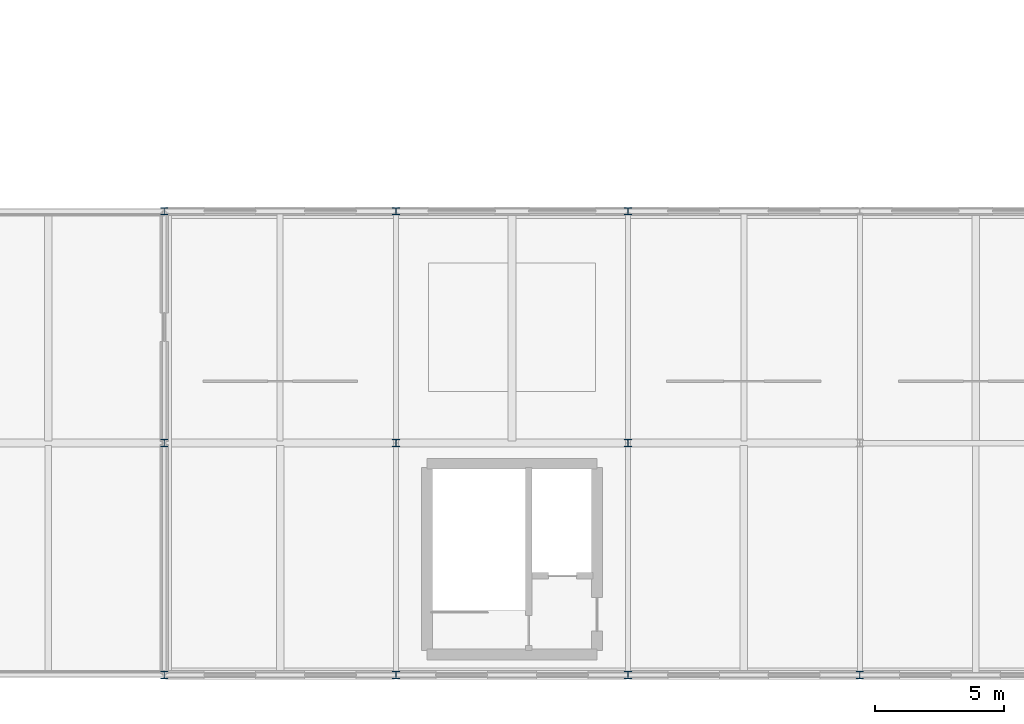
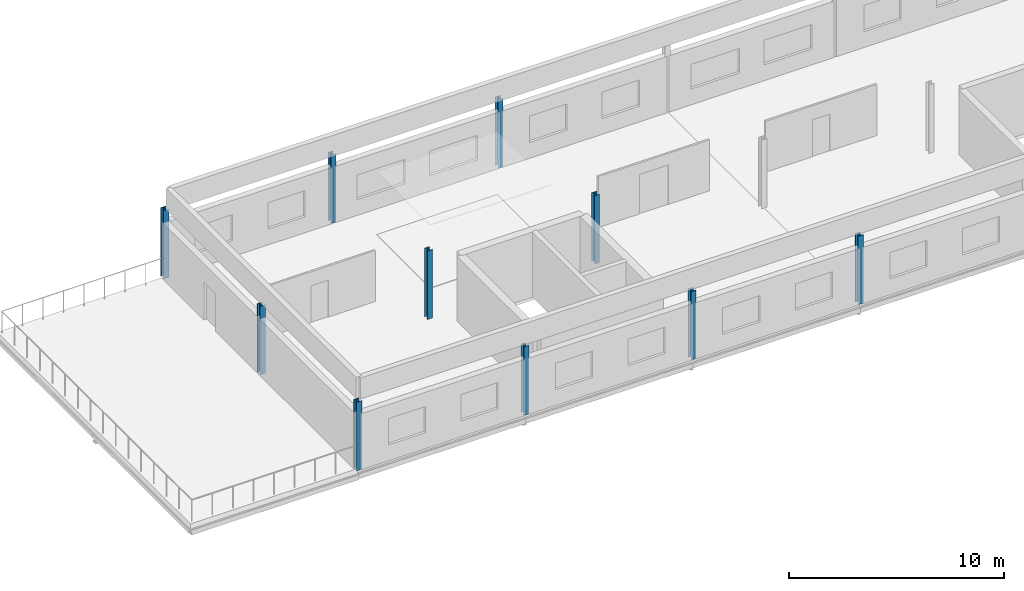
# One storey, part 4 of 18: 10 columns.
"""IFC4 building model written with IfcOpenShell, lengths in metres."""

from ifc_helpers import new_model, si_unit, direction, frame, origin, origin_2d, place, context, subcontext, project, spatial, i_section, extrude, material, material_profile, profile_set, type_object, element, save


model = new_model("IFC4")

# Units and contexts
model_context = context("Model", 3, precision=1e-05, world=origin(), true_north=direction((0.0, 1.0)))
body_context = subcontext(model_context, "Body", "Model", "MODEL_VIEW")
ifc_project = project(units=[si_unit("LENGTHUNIT", "METRE"), si_unit("AREAUNIT", "SQUARE_METRE"), si_unit("VOLUMEUNIT", "CUBIC_METRE"), si_unit("PLANEANGLEUNIT", "RADIAN"), si_unit("MASSUNIT", "GRAM", prefix="KILO")], contexts=[model_context])

# Site, building, storey
site_placement = place(None, origin())
site = spatial("IfcSite", under=ifc_project, at=site_placement, CompositionType="ELEMENT")
building_placement = place(site_placement, origin())
building = spatial("IfcBuilding", under=site, at=building_placement, Name="Kildeholm Park Wholesale Market", CompositionType="ELEMENT")
storey_placement = place(building_placement, frame((0.0, 0.0, 13.5)))
storey = spatial("IfcBuildingStorey", under=building, at=storey_placement, Name="L03", CompositionType="ELEMENT", Elevation=13.5)

# Columns
ifc_material = material(Name="Steel S355", Category="steel")
ifc_material_profile = material_profile(ifc_material, i_section(OverallWidth=0.280029296875, OverallDepth=0.280029296875, WebThickness=0.010498046875, FlangeThickness=0.01806640625, FilletRadius=0.02392578125, at=origin_2d()), Name="HEB 280")
ifc_profile_set = profile_set([ifc_material_profile], Name="Steel S355")
column_type = type_object("IfcColumnType", Name="Column C-S02 HEB 280", PredefinedType="COLUMN", material=ifc_profile_set)
for number, where, z_axis, x_axis, name in (
    (1, (135.0, 0.0, 0.0), (0.0, 0.0, 1.0), (1.0, 0.0, 0.0), "Column V5E-135-000 L03 COL-0774"),
    (2, (135.0, 9.0, 0.0), (0.0, 0.0, 1.0), (1.0, 0.0, 0.0), "Column V5E-135-009 L03 COL-0778"),
    (3, (135.0, 18.0, 0.0), (0.0, 0.0, 1.0), (1.0, 0.0, 0.0), "Column V5E-135-018 L03 COL-0782"),
    (4, (144.0, 0.0, 0.0), (0.0, 0.0, 1.0), (1.0, 0.0, 0.0), "Column V5E-144-000 L03 COL-0788"),
    (5, (144.0, 9.0, 0.0), (0.0, 0.0, 1.0), (1.0, 0.0, 0.0), "Column V5E-144-009 L03 COL-0792"),
    (6, (144.0, 18.0, 0.0), (0.0, 0.0, 1.0), (1.0, 0.0, 0.0), "Column V5E-144-018 L03 COL-0796"),
    (7, (153.0, 0.0, 0.0), (0.0, 0.0, 1.0), (1.0, 0.0, 0.0), "Column V5E-153-000 L03 COL-0802"),
    (8, (153.0, 9.0, 0.0), (0.0, 0.0, 1.0), (1.0, 0.0, 0.0), "Column V5E-153-009 L03 COL-0806"),
    (9, (153.0, 18.0, 0.0), (0.0, 0.0, 1.0), (1.0, 0.0, 0.0), "Column V5E-153-018 L03 COL-0810"),
    (10, (162.0, 0.0, 0.0), (0.0, 0.0, 1.0), (1.0, 0.0, 0.0), "Column V5E-162-000 L03 COL-0816"),
):
    element("IfcColumn", number, at=place(storey_placement, frame(where, z_axis=z_axis, x_axis=x_axis)), inside=storey, type_object=column_type, Name=name, PredefinedType="COLUMN", context=body_context, shape_type="SweptSolid", body=[
        extrude(i_section(OverallWidth=0.280029296875, OverallDepth=0.280029296875, WebThickness=0.010498046875, FlangeThickness=0.01806640625, FilletRadius=0.02392578125, at=origin_2d()), origin(), (0.0, 0.0, 1.0), 3.89990234375),
    ])

save(model, "model.ifc")
